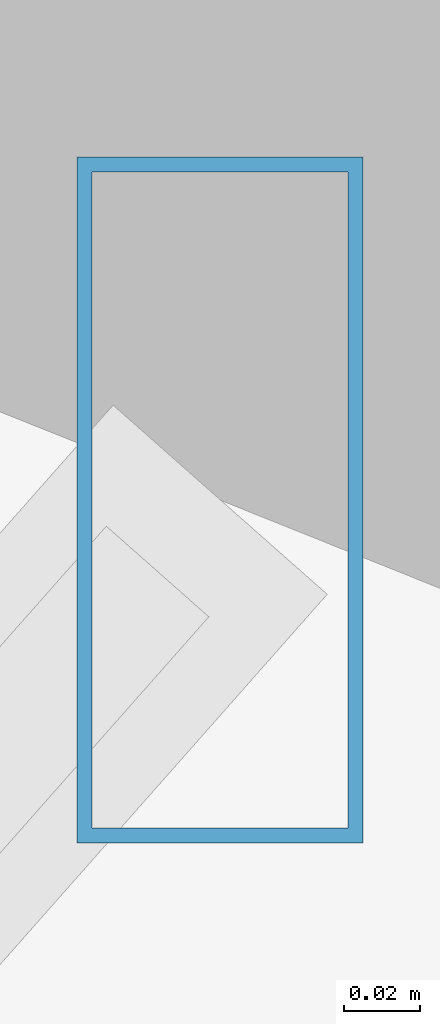
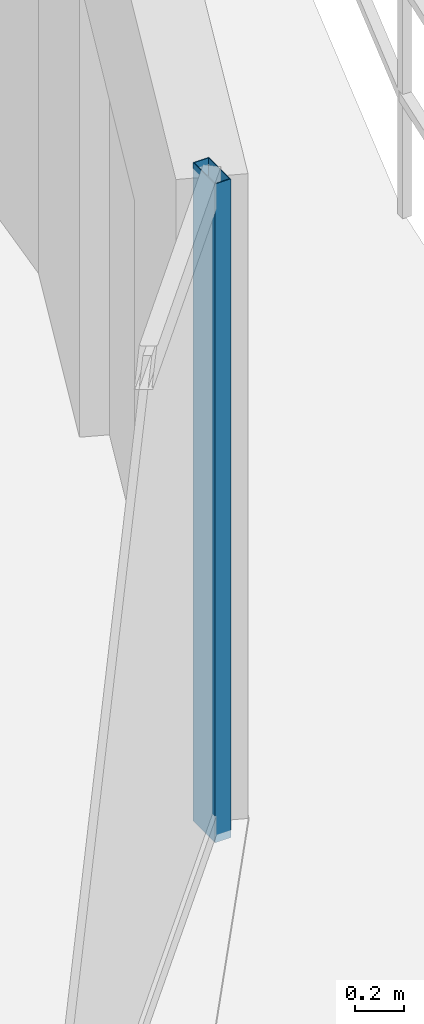
# One storey, part 13 of 29: 1 member, 1 element without a shape of its own.
"""IFC4 building model written with IfcOpenShell, lengths in metres."""

from ifc_helpers import new_model, si_unit, direction, frame, origin, origin_2d, place, context, subcontext, project, spatial, hollow_rectangle, extrude, material, material_profile, profile_set, type_object, element, aggregate, save


model = new_model("IFC4")

# Units and contexts
model_context = context("Model", 3, precision=1e-05, world=origin(), true_north=direction((0.0, 1.0)))
body_context = subcontext(model_context, "Body", "Model", "MODEL_VIEW")
ifc_project = project(units=[si_unit("LENGTHUNIT", "METRE"), si_unit("AREAUNIT", "SQUARE_METRE"), si_unit("VOLUMEUNIT", "CUBIC_METRE"), si_unit("PLANEANGLEUNIT", "RADIAN"), si_unit("MASSUNIT", "GRAM", prefix="KILO")], contexts=[model_context])

# Site, building, storey
site_placement = place(None, origin())
site = spatial("IfcSite", under=ifc_project, at=site_placement, CompositionType="ELEMENT")
building_placement = place(site_placement, origin())
building = spatial("IfcBuilding", under=site, at=building_placement, Name="Vorneva Point Tower", CompositionType="ELEMENT")
storey_placement = place(building_placement, frame((0.0, 0.0, 113.800048828125)))
storey = spatial("IfcBuildingStorey", under=building, at=storey_placement, Name="L30", CompositionType="ELEMENT", Elevation=113.800048828125)

# Curtain wall, member
ifc_material = material(Name="Pale anodised aluminium", Category="aluminium")
curtain_wall_type = type_object("IfcCurtainWallType", Name="CW-HTL-SYS", PredefinedType="NOTDEFINED", material=ifc_material)
curtain_wall_placement = place(storey_placement, origin())
curtain_wall = element("IfcCurtainWall", 1, at=curtain_wall_placement, inside=storey, type_object=curtain_wall_type, Name="L30 Unitised Curtain Wall CW-L30-R04", PredefinedType="NOTDEFINED")
ifc_material_profile = material_profile(ifc_material, hollow_rectangle(XDim=0.074951171875, YDim=0.179931640625, WallThickness=0.00390625, at=origin_2d()), Name="AL-MUL 180x75x4")
ifc_profile_set = profile_set([ifc_material_profile], Name="Pale anodised aluminium")
member_type = type_object("IfcMemberType", Name="CW-MUL-180", PredefinedType="MULLION", material=ifc_profile_set)
member_placement = place(storey_placement, frame((62.251708984375, 18.40380859375, -0.0400390625), z_axis=(0.0, 0.0, 1.0), x_axis=(1.0, 0.0, 0.0)))
member = element("IfcMember", 2, at=member_placement, type_object=member_type, Name="CW-L30-R04 Mullion 06", PredefinedType="MULLION", context=body_context, shape_type="SweptSolid", body=[
    extrude(hollow_rectangle(XDim=0.074951171875, YDim=0.179931640625, WallThickness=0.00390625, at=origin_2d()), origin(), (0.0, 0.0, 1.0), 3.31005859375),
])
aggregate(curtain_wall, [member])

save(model, "model.ifc")
